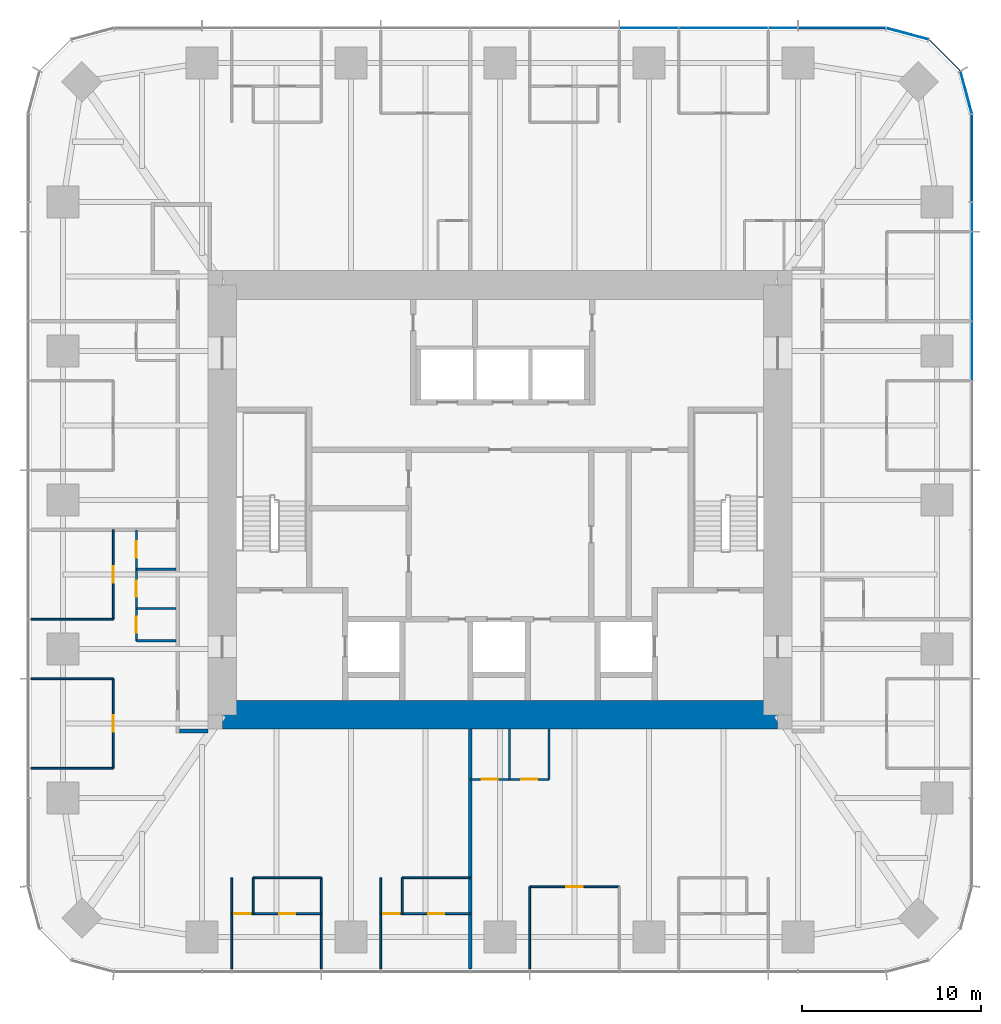
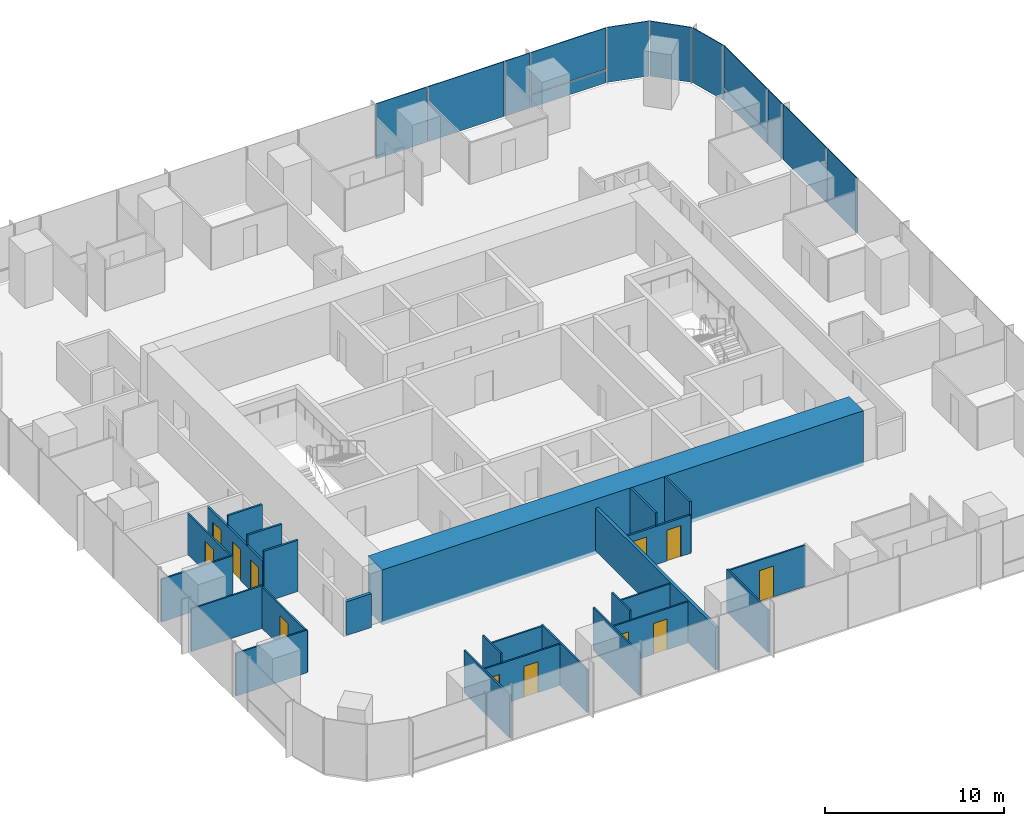
# One storey, part 8 of 12: 26 walls, 13 plates, 12 doors, 12 openings, 3 elements without a shape of their own.
"""IFC4 building model written with IfcOpenShell, lengths in metres."""

from ifc_helpers import new_model, si_unit, direction, frame, frame_2d, origin, origin_2d, place, context, subcontext, project, spatial, rectangle, extrude, material, layer, layer_set, type_object, element, fill, aggregate, save


model = new_model("IFC4")

# Units and contexts
model_context = context("Model", 3, precision=1e-05, world=origin(), true_north=direction((0.0, 1.0)))
body_context = subcontext(model_context, "Body", "Model", "MODEL_VIEW")
ifc_project = project(units=[si_unit("LENGTHUNIT", "METRE"), si_unit("AREAUNIT", "SQUARE_METRE"), si_unit("VOLUMEUNIT", "CUBIC_METRE"), si_unit("PLANEANGLEUNIT", "RADIAN"), si_unit("MASSUNIT", "GRAM", prefix="KILO")], contexts=[model_context])

# Site, building, storey
site_placement = place(None, origin())
site = spatial("IfcSite", under=ifc_project, at=site_placement, CompositionType="ELEMENT")
building_placement = place(site_placement, origin())
building = spatial("IfcBuilding", under=site, at=building_placement, Name="Khuree Lantern Residences", CompositionType="ELEMENT")
storey_placement = place(building_placement, frame((0.0, 0.0, 218.25)))
storey = spatial("IfcBuildingStorey", under=building, at=storey_placement, Name="L54", CompositionType="ELEMENT", Elevation=218.25)

# Curtain wall, plates
ifc_material_1 = material(Name="Bronze anodised aluminium", Category="aluminium")
curtain_wall_type_1 = type_object("IfcCurtainWallType", Name="CW-T2 TOWER CORNER CURTAIN WALL", PredefinedType="USERDEFINED", material=ifc_material_1)
curtain_wall_1_placement = place(storey_placement, origin())
curtain_wall_1 = element("IfcCurtainWall", 1, at=curtain_wall_1_placement, inside=storey, type_object=curtain_wall_type_1, Name="L54 NORTH-EAST CORNER CURTAIN WALL", ObjectType="Faceted corner curtain wall", PredefinedType="USERDEFINED")
ifc_material_2 = material(Name="Bronze tinted triple glazing", Category="glass")
ifc_layer_1 = layer(ifc_material_2, 0.048095703125)
ifc_layer_set_1 = layer_set([ifc_layer_1], Name="FACET PANEL P4")
plate_type_1 = type_object("IfcPlateType", Name="FACET PANEL P4", PredefinedType="CURTAIN_PANEL", material=ifc_layer_set_1)
plate_1_placement = place(storey_placement, frame((26.029052734375, 22.748046875, 0.0), z_axis=(0.0, 0.0, 1.0), x_axis=(-0.258819021888, 0.965925832509, 0.0)))
plate_1 = element("IfcPlate", 2, at=plate_1_placement, type_object=plate_type_1, Name="L54 NORTH-EAST CORNER PANEL 15.1", PredefinedType="CURTAIN_PANEL", context=body_context, shape_type="SweptSolid", body=[
    extrude(rectangle(XDim=2.40869140625, YDim=0.048095703125, at=origin_2d()), origin(), (0.0, 0.0, 1.0), 3.75),
])
plate_2_placement = place(storey_placement, frame((24.828369140625, 24.828369140625, 0.0), z_axis=(0.0, 0.0, 1.0), x_axis=(-0.707106781187, 0.707106781187, 0.0)))
plate_2 = element("IfcPlate", 3, at=plate_2_placement, type_object=plate_type_1, Name="L54 NORTH-EAST CORNER PANEL 16.1", PredefinedType="CURTAIN_PANEL", context=body_context, shape_type="SweptSolid", body=[
    extrude(rectangle(XDim=2.404541015625, YDim=0.048095703125, at=origin_2d()), origin(), (0.0, 0.0, 1.0), 3.75),
])
plate_3_placement = place(storey_placement, frame((22.748046875, 26.029052734375, 0.0), z_axis=(0.0, 0.0, 1.0), x_axis=(-0.965925832509, 0.258819021888, 0.0)))
plate_3 = element("IfcPlate", 4, at=plate_3_placement, type_object=plate_type_1, Name="L54 NORTH-EAST CORNER PANEL 17.1", PredefinedType="CURTAIN_PANEL", context=body_context, shape_type="SweptSolid", body=[
    extrude(rectangle(XDim=2.40869140625, YDim=0.048095703125, at=origin_2d()), origin(), (0.0, 0.0, 1.0), 3.75),
])
aggregate(curtain_wall_1, [plate_1, plate_2, plate_3])

# Curtain wall, plate
curtain_wall_type_2 = type_object("IfcCurtainWallType", Name="CW-T1 TOWER FACE CURTAIN WALL", PredefinedType="USERDEFINED", material=ifc_material_1)
curtain_wall_2_placement = place(storey_placement, origin())
curtain_wall_2 = element("IfcCurtainWall", 5, at=curtain_wall_2_placement, inside=storey, type_object=curtain_wall_type_2, Name="L54 EAST FACE CURTAIN WALL", ObjectType="Stick-built curtain wall", PredefinedType="USERDEFINED")
ifc_material_3 = material(Name="Bronze tinted triple glazing with a ceramic-fritted spandrel band", Category="glass")
ifc_layer_2 = layer(ifc_material_3, 0.048095703125)
ifc_layer_set_2 = layer_set([ifc_layer_2], Name="FIXED LIGHT PANEL P11")
plate_type_2 = type_object("IfcPlateType", Name="FIXED LIGHT PANEL P11", PredefinedType="CURTAIN_PANEL", material=ifc_layer_set_2)
plate_4_placement = place(storey_placement, frame((26.35009765625, 12.47998046875, 0.0), z_axis=(0.0, 0.0, 1.0), x_axis=(0.0, 1.0, 0.0)))
plate_4 = element("IfcPlate", 6, at=plate_4_placement, type_object=plate_type_2, Name="L54 EAST FACE PANEL 12.1", PredefinedType="CURTAIN_PANEL", context=body_context, shape_type="SweptSolid", body=[
    extrude(rectangle(XDim=4.927001953125, YDim=0.048095703125, at=origin_2d()), origin(), (0.0, 0.0, 1.0), 3.75),
])

curtain_wall_3_placement = place(storey_placement, origin())
curtain_wall_3 = element("IfcCurtainWall", 7, at=curtain_wall_3_placement, inside=storey, type_object=curtain_wall_type_2, Name="L54 NORTH FACE CURTAIN WALL", ObjectType="Stick-built curtain wall", PredefinedType="USERDEFINED")
plate_5_placement = place(storey_placement, frame((12.47998046875, 26.35009765625, 0.0), z_axis=(0.0, 0.0, 1.0), x_axis=(-1.0, 0.0, 0.0)))
plate_5 = element("IfcPlate", 8, at=plate_5_placement, type_object=plate_type_2, Name="L54 NORTH FACE PANEL 20.1", PredefinedType="CURTAIN_PANEL", context=body_context, shape_type="SweptSolid", body=[
    extrude(rectangle(XDim=4.927001953125, YDim=0.048095703125, at=origin_2d()), origin(), (0.0, 0.0, 1.0), 3.75),
])

# Plate
ifc_material_4 = material(Name="Bronze tinted triple glazing, two aluminium-framed sashes in one frame", Category="aluminium")
ifc_layer_3 = layer(ifc_material_4, 0.048095703125)
ifc_layer_set_3 = layer_set([ifc_layer_3], Name="SASH PAIR PANEL P12")
plate_type_3 = type_object("IfcPlateType", Name="SASH PAIR PANEL P12", PredefinedType="CURTAIN_PANEL", material=ifc_layer_set_3)
plate_6_placement = place(storey_placement, frame((26.35009765625, 8.320068359375, 0.0), z_axis=(0.0, 0.0, 1.0), x_axis=(0.0, 1.0, 0.0)))
plate_6 = element("IfcPlate", 9, at=plate_6_placement, type_object=plate_type_3, Name="L54 EAST FACE PANEL 11.1", PredefinedType="CURTAIN_PANEL", context=body_context, shape_type="SweptSolid", body=[
    extrude(rectangle(XDim=3.262939453125, YDim=0.048095703125, at=origin_2d()), origin(), (0.0, 0.0, 1.0), 3.75),
])

plate_7_placement = place(storey_placement, frame((8.320068359375, 26.35009765625, 0.0), z_axis=(0.0, 0.0, 1.0), x_axis=(-1.0, 0.0, 0.0)))
plate_7 = element("IfcPlate", 10, at=plate_7_placement, type_object=plate_type_3, Name="L54 NORTH FACE PANEL 21.1", PredefinedType="CURTAIN_PANEL", context=body_context, shape_type="SweptSolid", body=[
    extrude(rectangle(XDim=3.262939453125, YDim=0.048095703125, at=origin_2d()), origin(), (0.0, 0.0, 1.0), 3.75),
])

ifc_material_5 = material(Name="Bronze tinted triple glazing, aluminium-framed sash", Category="aluminium")
ifc_layer_4 = layer(ifc_material_5, 0.048095703125)
ifc_layer_set_4 = layer_set([ifc_layer_4], Name="SASH PANEL P3")
plate_type_4 = type_object("IfcPlateType", Name="SASH PANEL P3", PredefinedType="CURTAIN_PANEL", material=ifc_layer_set_4)
plate_8_placement = place(storey_placement, frame((26.35009765625, 15.80810546875, 0.0), z_axis=(0.0, 0.0, 1.0), x_axis=(0.0, 1.0, 0.0)))
plate_8 = element("IfcPlate", 11, at=plate_8_placement, type_object=plate_type_4, Name="L54 EAST FACE PANEL 13.1", PredefinedType="CURTAIN_PANEL", context=body_context, shape_type="SweptSolid", body=[
    extrude(rectangle(XDim=1.59912109375, YDim=0.048095703125, at=origin_2d()), origin(), (0.0, 0.0, 1.0), 3.75),
])

plate_9_placement = place(storey_placement, frame((15.80810546875, 26.35009765625, 0.0), z_axis=(0.0, 0.0, 1.0), x_axis=(-1.0, 0.0, 0.0)))
plate_9 = element("IfcPlate", 12, at=plate_9_placement, type_object=plate_type_4, Name="L54 NORTH FACE PANEL 19.1", PredefinedType="CURTAIN_PANEL", context=body_context, shape_type="SweptSolid", body=[
    extrude(rectangle(XDim=1.59912109375, YDim=0.048095703125, at=origin_2d()), origin(), (0.0, 0.0, 1.0), 3.75),
])

ifc_material_6 = material(Name="Bronze anodised aluminium insulated spandrel", Category="aluminium")
ifc_layer_5 = layer(ifc_material_6, 0.06005859375)
ifc_layer_set_5 = layer_set([ifc_layer_5], Name="SPANDREL PANEL P2")
plate_type_5 = type_object("IfcPlateType", Name="SPANDREL PANEL P2", PredefinedType="CURTAIN_PANEL", material=ifc_layer_set_5)
plate_10_placement = place(storey_placement, frame((26.35009765625, 19.0927734375, 0.0), z_axis=(0.0, 0.0, 1.0), x_axis=(0.0, 1.0, 0.0)))
plate_10 = element("IfcPlate", 13, at=plate_10_placement, type_object=plate_type_5, Name="L54 EAST FACE PANEL 14.1", PredefinedType="CURTAIN_PANEL", context=body_context, shape_type="SweptSolid", body=[
    extrude(rectangle(XDim=4.8408203125, YDim=0.06005859375, at=origin_2d()), origin(), (0.0, 0.0, 1.0), 0.867431640625),
])

plate_11_placement = place(storey_placement, frame((19.0927734375, 26.35009765625, 0.0), z_axis=(0.0, 0.0, 1.0), x_axis=(-1.0, 0.0, 0.0)))
plate_11 = element("IfcPlate", 14, at=plate_11_placement, type_object=plate_type_5, Name="L54 NORTH FACE PANEL 18.1", PredefinedType="CURTAIN_PANEL", context=body_context, shape_type="SweptSolid", body=[
    extrude(rectangle(XDim=4.8408203125, YDim=0.06005859375, at=origin_2d()), origin(), (0.0, 0.0, 1.0), 0.867431640625),
])

ifc_layer_6 = layer(ifc_material_2, 0.048095703125)
ifc_layer_set_6 = layer_set([ifc_layer_6], Name="VISION PANEL P1")
plate_type_6 = type_object("IfcPlateType", Name="VISION PANEL P1", PredefinedType="CURTAIN_PANEL", material=ifc_layer_set_6)
plate_12_placement = place(storey_placement, frame((26.35009765625, 19.09326171875, 0.9326171875), z_axis=(0.0, 0.0, 1.0), x_axis=(0.0, 1.0, 0.0)))
plate_12 = element("IfcPlate", 15, at=plate_12_placement, type_object=plate_type_6, Name="L54 EAST FACE PANEL 14.2", PredefinedType="CURTAIN_PANEL", context=body_context, shape_type="SweptSolid", body=[
    extrude(rectangle(XDim=4.841552734375, YDim=0.048095703125, at=origin_2d()), origin(), (0.0, 0.0, 1.0), 2.8173828125),
])

aggregate(curtain_wall_2, [plate_6, plate_4, plate_8, plate_10, plate_12])

plate_13_placement = place(storey_placement, frame((19.09326171875, 26.35009765625, 0.9326171875), z_axis=(0.0, 0.0, 1.0), x_axis=(-1.0, 0.0, 0.0)))
plate_13 = element("IfcPlate", 16, at=plate_13_placement, type_object=plate_type_6, Name="L54 NORTH FACE PANEL 18.2", PredefinedType="CURTAIN_PANEL", context=body_context, shape_type="SweptSolid", body=[
    extrude(rectangle(XDim=4.841552734375, YDim=0.048095703125, at=origin_2d()), origin(), (0.0, 0.0, 1.0), 2.8173828125),
])

aggregate(curtain_wall_3, [plate_11, plate_13, plate_9, plate_5, plate_7])

# Wall, openings, doors
ifc_material_7 = material(Name="Moisture-resistant gypsum board on steel studs", Category="steel")
ifc_layer_7 = layer(ifc_material_7, 0.125)
ifc_layer_set_7 = layer_set([ifc_layer_7], Name="BATHROOM WALL BTW125")
wall_type_1 = type_object("IfcWallType", Name="BATHROOM WALL BTW125", PredefinedType="PARTITIONING", material=ifc_layer_set_7)
wall_1_placement = place(storey_placement, frame((-20.300048828125, -1.6640625, 0.0), z_axis=(0.0, 0.0, 1.0), x_axis=(0.0, -1.0, 0.0)))
wall_1 = element("IfcWall", 17, at=wall_1_placement, inside=storey, type_object=wall_type_1, Name="L54 BATHROOM WALL 05", PredefinedType="PARTITIONING", context=body_context, shape_type="SweptSolid", body=[
    extrude(rectangle(XDim=6.199951171875, YDim=0.125, at=frame_2d((3.10009765625, 0.0))), origin(), (0.0, 0.0, 1.0), 2.81005859375),
])
opening_1_placement = place(wall_1_placement, frame((0.64990234375, 0.0, 0.0)))
opening_1 = element("IfcOpeningElement", 18, at=opening_1_placement, cuts=wall_1, Name="Opening 54-046", PredefinedType="OPENING", context=body_context, shape_type="SweptSolid", body=[
    extrude(rectangle(XDim=0.89990234375, YDim=2.10009765625, at=frame_2d((0.449951171875, 1.050048828125))), frame((0.0, 0.072509765625, 0.0), z_axis=(0.0, -1.0, 0.0), x_axis=(1.0, 0.0, 0.0)), (0.0, 0.0, 1.0), 0.14501953125),
])
opening_2_placement = place(wall_1_placement, frame((2.85009765625, 0.0, 0.0)))
opening_2 = element("IfcOpeningElement", 19, at=opening_2_placement, cuts=wall_1, Name="Opening 54-047", PredefinedType="OPENING", context=body_context, shape_type="SweptSolid", body=[
    extrude(rectangle(XDim=0.89990234375, YDim=2.10009765625, at=frame_2d((0.449951171875, 1.050048828125))), frame((0.0, 0.072509765625, 0.0), z_axis=(0.0, -1.0, 0.0), x_axis=(1.0, 0.0, 0.0)), (0.0, 0.0, 1.0), 0.14501953125),
])
opening_3_placement = place(wall_1_placement, frame((4.85009765625, 0.0, 0.0)))
opening_3 = element("IfcOpeningElement", 20, at=opening_3_placement, cuts=wall_1, Name="Opening 54-048", PredefinedType="OPENING", context=body_context, shape_type="SweptSolid", body=[
    extrude(rectangle(XDim=0.89990234375, YDim=2.10009765625, at=frame_2d((0.449951171875, 1.050048828125))), frame((0.0, 0.072509765625, 0.0), z_axis=(0.0, -1.0, 0.0), x_axis=(1.0, 0.0, 0.0)), (0.0, 0.0, 1.0), 0.14501953125),
])
ifc_material_8 = material(Name="Timber door leaf in hardwood frame", Category="wood")
door_type_1 = type_object("IfcDoorType", Name="BATHROOM DOOR 900X2100", OperationType="SINGLE_SWING_LEFT", PredefinedType="DOOR", material=ifc_material_8)
door_1_placement = place(opening_1_placement, origin())
door_1 = element("IfcDoor", 21, at=door_1_placement, inside=storey, type_object=door_type_1, Name="Bathroom door 54-046", OperationType="SINGLE_SWING_LEFT", OverallHeight=2.10009765625, OverallWidth=0.89990234375, PredefinedType="DOOR", context=body_context, shape_type="SweptSolid", body=[
    extrude(rectangle(XDim=0.89990234375, YDim=2.10009765625, at=frame_2d((0.449951171875, 1.050048828125))), frame((0.0, 0.02490234375, 0.0), z_axis=(0.0, -1.0, 0.0), x_axis=(1.0, 0.0, 0.0)), (0.0, 0.0, 1.0), 0.050048828125),
])
fill(opening_1, door_1)
door_2_placement = place(opening_2_placement, origin())
door_2 = element("IfcDoor", 22, at=door_2_placement, inside=storey, type_object=door_type_1, Name="Bathroom door 54-047", OperationType="SINGLE_SWING_LEFT", OverallHeight=2.10009765625, OverallWidth=0.89990234375, PredefinedType="DOOR", context=body_context, shape_type="SweptSolid", body=[
    extrude(rectangle(XDim=0.89990234375, YDim=2.10009765625, at=frame_2d((0.449951171875, 1.050048828125))), frame((0.0, 0.02490234375, 0.0), z_axis=(0.0, -1.0, 0.0), x_axis=(1.0, 0.0, 0.0)), (0.0, 0.0, 1.0), 0.050048828125),
])
fill(opening_2, door_2)
door_type_2 = type_object("IfcDoorType", Name="DOOR 900X2100", OperationType="SINGLE_SWING_LEFT", PredefinedType="DOOR", material=ifc_material_8)
door_3_placement = place(opening_3_placement, origin())
door_3 = element("IfcDoor", 23, at=door_3_placement, inside=storey, type_object=door_type_2, Name="Store door 54-048", OperationType="SINGLE_SWING_LEFT", OverallHeight=2.10009765625, OverallWidth=0.89990234375, PredefinedType="DOOR", context=body_context, shape_type="SweptSolid", body=[
    extrude(rectangle(XDim=0.89990234375, YDim=2.10009765625, at=frame_2d((0.449951171875, 1.050048828125))), frame((0.0, 0.02490234375, 0.0), z_axis=(0.0, -1.0, 0.0), x_axis=(1.0, 0.0, 0.0)), (0.0, 0.0, 1.0), 0.050048828125),
])
fill(opening_3, door_3)

# Walls
for number, where, z_axis, x_axis, name in (
    (24, (-18.10009765625, -3.864013671875, 0.0), (0.0, 0.0, 1.0), (-1.0, 0.0, 0.0), "L54 BATHROOM WALL 05"),
    (25, (-18.10009765625, -6.06396484375, 0.0), (0.0, 0.0, 1.0), (-1.0, 0.0, 0.0), "L54 BATHROOM WALL 05"),
    (26, (-18.10009765625, -7.864013671875, 0.0), (0.0, 0.0, 1.0), (-1.0, 0.0, 0.0), "L54 BATHROOM WALL 05"),
):
    element("IfcWall", number, at=place(storey_placement, frame(where, z_axis=z_axis, x_axis=x_axis)), inside=storey, type_object=wall_type_1, Name=name, PredefinedType="PARTITIONING", context=body_context, shape_type="SweptSolid", body=[
        extrude(rectangle(XDim=2.199951171875, YDim=0.125, at=frame_2d((1.10009765625, 0.0))), origin(), (0.0, 0.0, 1.0), 3.5),
    ])

# Wall, openings, doors
wall_2_placement = place(storey_placement, frame((-1.6640625, -15.60009765625, 0.0), z_axis=(0.0, 0.0, 1.0), x_axis=(1.0, 0.0, 0.0)))
wall_2 = element("IfcWall", 27, at=wall_2_placement, inside=storey, type_object=wall_type_1, Name="L54 BATHROOM WALL 06", PredefinedType="PARTITIONING", context=body_context, shape_type="SweptSolid", body=[
    extrude(rectangle(XDim=4.400146484375, YDim=0.125, at=frame_2d((2.2001953125, 0.0))), origin(), (0.0, 0.0, 1.0), 2.60009765625),
])
opening_4_placement = place(wall_2_placement, frame((0.64990234375, 0.0, 0.0)))
opening_4 = element("IfcOpeningElement", 28, at=opening_4_placement, cuts=wall_2, Name="Opening 54-054", PredefinedType="OPENING", context=body_context, shape_type="SweptSolid", body=[
    extrude(rectangle(XDim=0.89990234375, YDim=2.10009765625, at=frame_2d((0.449951171875, 1.050048828125))), frame((0.0, 0.072509765625, 0.0), z_axis=(0.0, -1.0, 0.0), x_axis=(1.0, 0.0, 0.0)), (0.0, 0.0, 1.0), 0.14501953125),
])
opening_5_placement = place(wall_2_placement, frame((2.85009765625, 0.0, 0.0)))
opening_5 = element("IfcOpeningElement", 29, at=opening_5_placement, cuts=wall_2, Name="Opening 54-055", PredefinedType="OPENING", context=body_context, shape_type="SweptSolid", body=[
    extrude(rectangle(XDim=0.89990234375, YDim=2.10009765625, at=frame_2d((0.449951171875, 1.050048828125))), frame((0.0, 0.072509765625, 0.0), z_axis=(0.0, -1.0, 0.0), x_axis=(1.0, 0.0, 0.0)), (0.0, 0.0, 1.0), 0.14501953125),
])
door_4_placement = place(opening_4_placement, origin())
door_4 = element("IfcDoor", 30, at=door_4_placement, inside=storey, type_object=door_type_1, Name="Bathroom door 54-054", OperationType="SINGLE_SWING_LEFT", OverallHeight=2.10009765625, OverallWidth=0.89990234375, PredefinedType="DOOR", context=body_context, shape_type="SweptSolid", body=[
    extrude(rectangle(XDim=0.89990234375, YDim=2.10009765625, at=frame_2d((0.449951171875, 1.050048828125))), frame((0.0, 0.02490234375, 0.0), z_axis=(0.0, -1.0, 0.0), x_axis=(1.0, 0.0, 0.0)), (0.0, 0.0, 1.0), 0.050048828125),
])
fill(opening_4, door_4)
door_5_placement = place(opening_5_placement, origin())
door_5 = element("IfcDoor", 31, at=door_5_placement, inside=storey, type_object=door_type_1, Name="Bathroom door 54-055", OperationType="SINGLE_SWING_LEFT", OverallHeight=2.10009765625, OverallWidth=0.89990234375, PredefinedType="DOOR", context=body_context, shape_type="SweptSolid", body=[
    extrude(rectangle(XDim=0.89990234375, YDim=2.10009765625, at=frame_2d((0.449951171875, 1.050048828125))), frame((0.0, 0.02490234375, 0.0), z_axis=(0.0, -1.0, 0.0), x_axis=(1.0, 0.0, 0.0)), (0.0, 0.0, 1.0), 0.050048828125),
])
fill(opening_5, door_5)

# Walls
for number, where, z_axis, x_axis, name in (
    (32, (0.535888671875, -12.800048828125, 0.0), (0.0, 0.0, 1.0), (0.0, -1.0, 0.0), "L54 BATHROOM WALL 06"),
    (33, (2.736083984375, -12.800048828125, 0.0), (0.0, 0.0, 1.0), (0.0, -1.0, 0.0), "L54 BATHROOM WALL 06"),
):
    element("IfcWall", number, at=place(storey_placement, frame(where, z_axis=z_axis, x_axis=x_axis)), inside=storey, type_object=wall_type_1, Name=name, PredefinedType="PARTITIONING", context=body_context, shape_type="SweptSolid", body=[
        extrude(rectangle(XDim=2.800048828125, YDim=0.125, at=frame_2d((1.39990234375, 0.0))), origin(), (0.0, 0.0, 1.0), 3.5),
    ])
ifc_material_9 = material(Name="Gypsum board on steel studs", Category="steel")
ifc_layer_8 = layer(ifc_material_9, 0.199951171875)
ifc_layer_set_8 = layer_set([ifc_layer_8], Name="CORRIDOR WALL CRW200 EI 60")
wall_type_2 = type_object("IfcWallType", Name="CORRIDOR WALL CRW200 EI 60", PredefinedType="PARTITIONING", material=ifc_layer_set_8)
wall_3_placement = place(storey_placement, frame((-16.300048828125, -12.89990234375, 0.0), z_axis=(0.0, 0.0, 1.0), x_axis=(-1.0, 0.0, 0.0)))
element("IfcWall", 34, at=wall_3_placement, inside=storey, type_object=wall_type_2, Name="L54 WEST CORRIDOR SOUTH END WALL", PredefinedType="PARTITIONING", context=body_context, shape_type="SweptSolid", body=[
    extrude(rectangle(XDim=1.599853515625, YDim=0.199951171875, at=frame_2d((0.7998046875, 0.0))), origin(), (0.0, 0.0, 1.0), 2.300048828125),
])
ifc_material_10 = material(Name="Concrete C50/60", Category="concrete")
ifc_layer_9 = layer(ifc_material_10, 1.60009765625)
ifc_layer_set_9 = layer_set([ifc_layer_9], Name="CW1600-C50 CORE WALL C50 1600")
wall_type_3 = type_object("IfcWallType", Name="CW1600-C50 CORE WALL C50 1600", PredefinedType="SHEAR", material=ifc_layer_set_9)
wall_4_placement = place(storey_placement, frame((-15.5, -12.0, -0.25), z_axis=(0.0, 0.0, 1.0), x_axis=(1.0, 0.0, 0.0)))
element("IfcWall", 35, at=wall_4_placement, inside=storey, type_object=wall_type_3, Name="Core wall S", PredefinedType="SHEAR", context=body_context, shape_type="SweptSolid", body=[
    extrude(rectangle(XDim=31.0, YDim=1.60009765625, at=frame_2d((15.5, 0.0))), origin(), (0.0, 0.0, 1.0), 3.75),
])
ifc_layer_10 = layer(ifc_material_9, 0.199951171875)
ifc_layer_set_10 = layer_set([ifc_layer_10], Name="DEMISING WALL DMW200 EI 90")
wall_type_4 = type_object("IfcWallType", Name="DEMISING WALL DMW200 EI 90", PredefinedType="PARTITIONING", material=ifc_layer_set_10)
wall_5_placement = place(storey_placement, frame((-1.6640625, -12.800048828125, 0.0), z_axis=(0.0, 0.0, 1.0), x_axis=(0.0, -1.0, 0.0)))
element("IfcWall", 36, at=wall_5_placement, inside=storey, type_object=wall_type_4, Name="L54 DEMISING WALL 06", PredefinedType="PARTITIONING", context=body_context, shape_type="SweptSolid", body=[
    extrude(rectangle(XDim=13.39990234375, YDim=0.199951171875, at=frame_2d((6.699951171875, 0.0))), origin(), (0.0, 0.0, 1.0), 2.909912109375),
])
ifc_layer_11 = layer(ifc_material_9, 0.10009765625)
ifc_layer_set_11 = layer_set([ifc_layer_11], Name="PARTITION PT100")
wall_type_5 = type_object("IfcWallType", Name="PARTITION PT100", PredefinedType="PARTITIONING", material=ifc_layer_set_11)
for number, where, z_axis, x_axis, name in (
    (37, (-21.60009765625, -6.656005859375, 0.0), (0.0, 0.0, 1.0), (-1.0, 0.0, 0.0), "L54 PARTITION 05"),
    (38, (-21.60009765625, -9.98388671875, 0.0), (0.0, 0.0, 1.0), (-1.0, 0.0, 0.0), "L54 PARTITION 05"),
    (39, (-21.60009765625, -14.97607421875, 0.0), (0.0, 0.0, 1.0), (-1.0, 0.0, 0.0), "L54 PARTITION 05"),
):
    element("IfcWall", number, at=place(storey_placement, frame(where, z_axis=z_axis, x_axis=x_axis)), inside=storey, type_object=wall_type_5, Name=name, PredefinedType="PARTITIONING", context=body_context, shape_type="SweptSolid", body=[
        extrude(rectangle(XDim=4.599853515625, YDim=0.10009765625, at=frame_2d((2.2998046875, 0.0))), origin(), (0.0, 0.0, 1.0), 2.909912109375),
    ])
for number, where, z_axis, x_axis, name in (
    (40, (-14.97607421875, -21.094970703125, 0.0), (0.0, 0.0, 1.0), (0.0, -1.0, 0.0), "L54 PARTITION 05"),
    (41, (-9.98388671875, -21.094970703125, 0.0), (0.0, 0.0, 1.0), (0.0, -1.0, 0.0), "L54 PARTITION 05"),
    (42, (-6.656005859375, -21.094970703125, 0.0), (0.0, 0.0, 1.0), (0.0, -1.0, 0.0), "L54 PARTITION 05"),
):
    element("IfcWall", number, at=place(storey_placement, frame(where, z_axis=z_axis, x_axis=x_axis)), inside=storey, type_object=wall_type_5, Name=name, PredefinedType="PARTITIONING", context=body_context, shape_type="SweptSolid", body=[
        extrude(rectangle(XDim=5.10498046875, YDim=0.10009765625, at=frame_2d((2.552490234375, 0.0))), origin(), (0.0, 0.0, 1.0), 2.909912109375),
    ])
wall_6_placement = place(storey_placement, frame((1.6640625, -21.60009765625, 0.0), z_axis=(0.0, 0.0, 1.0), x_axis=(0.0, -1.0, 0.0)))
element("IfcWall", 43, at=wall_6_placement, inside=storey, type_object=wall_type_5, Name="L54 PARTITION 06", PredefinedType="PARTITIONING", context=body_context, shape_type="SweptSolid", body=[
    extrude(rectangle(XDim=4.599853515625, YDim=0.10009765625, at=frame_2d((2.2998046875, 0.0))), origin(), (0.0, 0.0, 1.0), 2.909912109375),
])

# Wall, opening, door
wall_7_placement = place(storey_placement, frame((-21.60009765625, -1.6640625, 0.0), z_axis=(0.0, 0.0, 1.0), x_axis=(0.0, -1.0, 0.0)))
wall_7 = element("IfcWall", 44, at=wall_7_placement, inside=storey, type_object=wall_type_5, Name="L54 PARTITION 05", PredefinedType="PARTITIONING", context=body_context, shape_type="SweptSolid", body=[
    extrude(rectangle(XDim=4.991943359375, YDim=0.10009765625, at=frame_2d((2.49609375, 0.0))), origin(), (0.0, 0.0, 1.0), 2.81005859375),
])
opening_6_placement = place(wall_7_placement, frame((2.0458984375, 0.0, 0.0)))
opening_6 = element("IfcOpeningElement", 45, at=opening_6_placement, cuts=wall_7, Name="Opening 54-040", PredefinedType="OPENING", context=body_context, shape_type="SweptSolid", body=[
    extrude(rectangle(XDim=0.89990234375, YDim=2.10009765625, at=frame_2d((0.449951171875, 1.050048828125))), frame((0.0, 0.06005859375, 0.0), z_axis=(0.0, -1.0, 0.0), x_axis=(1.0, 0.0, 0.0)), (0.0, 0.0, 1.0), 0.1201171875),
])
door_type_3 = type_object("IfcDoorType", Name="BEDROOM DOOR 900X2100", OperationType="SINGLE_SWING_LEFT", PredefinedType="DOOR", material=ifc_material_8)
door_6_placement = place(opening_6_placement, origin())
door_6 = element("IfcDoor", 46, at=door_6_placement, inside=storey, type_object=door_type_3, Name="Bedroom door 54-040", OperationType="SINGLE_SWING_LEFT", OverallHeight=2.10009765625, OverallWidth=0.89990234375, PredefinedType="DOOR", context=body_context, shape_type="SweptSolid", body=[
    extrude(rectangle(XDim=0.89990234375, YDim=2.10009765625, at=frame_2d((0.449951171875, 1.050048828125))), frame((0.0, 0.02490234375, 0.0), z_axis=(0.0, -1.0, 0.0), x_axis=(1.0, 0.0, 0.0)), (0.0, 0.0, 1.0), 0.050048828125),
])
fill(opening_6, door_6)

wall_8_placement = place(storey_placement, frame((-21.60009765625, -9.98388671875, 0.0), z_axis=(0.0, 0.0, 1.0), x_axis=(0.0, -1.0, 0.0)))
wall_8 = element("IfcWall", 47, at=wall_8_placement, inside=storey, type_object=wall_type_5, Name="L54 PARTITION 05", PredefinedType="PARTITIONING", context=body_context, shape_type="SweptSolid", body=[
    extrude(rectangle(XDim=4.9921875, YDim=0.10009765625, at=frame_2d((2.49609375, 0.0))), origin(), (0.0, 0.0, 1.0), 2.81005859375),
])
opening_7_placement = place(wall_8_placement, frame((2.0458984375, 0.0, 0.0)))
opening_7 = element("IfcOpeningElement", 48, at=opening_7_placement, cuts=wall_8, Name="Opening 54-041", PredefinedType="OPENING", context=body_context, shape_type="SweptSolid", body=[
    extrude(rectangle(XDim=0.89990234375, YDim=2.10009765625, at=frame_2d((0.449951171875, 1.050048828125))), frame((0.0, 0.06005859375, 0.0), z_axis=(0.0, -1.0, 0.0), x_axis=(1.0, 0.0, 0.0)), (0.0, 0.0, 1.0), 0.1201171875),
])
door_7_placement = place(opening_7_placement, origin())
door_7 = element("IfcDoor", 49, at=door_7_placement, inside=storey, type_object=door_type_3, Name="Bedroom door 54-041", OperationType="SINGLE_SWING_LEFT", OverallHeight=2.10009765625, OverallWidth=0.89990234375, PredefinedType="DOOR", context=body_context, shape_type="SweptSolid", body=[
    extrude(rectangle(XDim=0.89990234375, YDim=2.10009765625, at=frame_2d((0.449951171875, 1.050048828125))), frame((0.0, 0.02490234375, 0.0), z_axis=(0.0, -1.0, 0.0), x_axis=(1.0, 0.0, 0.0)), (0.0, 0.0, 1.0), 0.050048828125),
])
fill(opening_7, door_7)

# Wall, openings, doors
wall_9_placement = place(storey_placement, frame((-14.97607421875, -23.094970703125, 0.0), z_axis=(0.0, 0.0, 1.0), x_axis=(1.0, 0.0, 0.0)))
wall_9 = element("IfcWall", 50, at=wall_9_placement, inside=storey, type_object=wall_type_5, Name="L54 PARTITION 05", PredefinedType="PARTITIONING", context=body_context, shape_type="SweptSolid", body=[
    extrude(rectangle(XDim=4.9921875, YDim=0.10009765625, at=frame_2d((2.49609375, 0.0))), origin(), (0.0, 0.0, 1.0), 2.81005859375),
])
opening_8_placement = place(wall_9_placement, frame((0.14990234375, 0.0, 0.0)))
opening_8 = element("IfcOpeningElement", 51, at=opening_8_placement, cuts=wall_9, Name="Opening 54-042", PredefinedType="OPENING", context=body_context, shape_type="SweptSolid", body=[
    extrude(rectangle(XDim=0.89990234375, YDim=2.10009765625, at=frame_2d((0.449951171875, 1.050048828125))), frame((0.0, 0.06005859375, 0.0), z_axis=(0.0, -1.0, 0.0), x_axis=(1.0, 0.0, 0.0)), (0.0, 0.0, 1.0), 0.1201171875),
])
opening_9_placement = place(wall_9_placement, frame((2.64599609375, 0.0, 0.0)))
opening_9 = element("IfcOpeningElement", 52, at=opening_9_placement, cuts=wall_9, Name="Opening 54-043", PredefinedType="OPENING", context=body_context, shape_type="SweptSolid", body=[
    extrude(rectangle(XDim=0.89990234375, YDim=2.10009765625, at=frame_2d((0.449951171875, 1.050048828125))), frame((0.0, 0.06005859375, 0.0), z_axis=(0.0, -1.0, 0.0), x_axis=(1.0, 0.0, 0.0)), (0.0, 0.0, 1.0), 0.1201171875),
])
door_8_placement = place(opening_8_placement, origin())
door_8 = element("IfcDoor", 53, at=door_8_placement, inside=storey, type_object=door_type_3, Name="Bedroom door 54-042", OperationType="SINGLE_SWING_LEFT", OverallHeight=2.10009765625, OverallWidth=0.89990234375, PredefinedType="DOOR", context=body_context, shape_type="SweptSolid", body=[
    extrude(rectangle(XDim=0.89990234375, YDim=2.10009765625, at=frame_2d((0.449951171875, 1.050048828125))), frame((0.0, 0.02490234375, 0.0), z_axis=(0.0, -1.0, 0.0), x_axis=(1.0, 0.0, 0.0)), (0.0, 0.0, 1.0), 0.050048828125),
])
fill(opening_8, door_8)
door_9_placement = place(opening_9_placement, origin())
door_9 = element("IfcDoor", 54, at=door_9_placement, inside=storey, type_object=door_type_2, Name="Wardrobe door 54-043", OperationType="SINGLE_SWING_LEFT", OverallHeight=2.10009765625, OverallWidth=0.89990234375, PredefinedType="DOOR", context=body_context, shape_type="SweptSolid", body=[
    extrude(rectangle(XDim=0.89990234375, YDim=2.10009765625, at=frame_2d((0.449951171875, 1.050048828125))), frame((0.0, 0.02490234375, 0.0), z_axis=(0.0, -1.0, 0.0), x_axis=(1.0, 0.0, 0.0)), (0.0, 0.0, 1.0), 0.050048828125),
])
fill(opening_9, door_9)

# Walls
wall_10_placement = place(storey_placement, frame((-13.77587890625, -21.094970703125, 0.0), z_axis=(0.0, 0.0, 1.0), x_axis=(0.0, -1.0, 0.0)))
element("IfcWall", 55, at=wall_10_placement, inside=storey, type_object=wall_type_5, Name="L54 PARTITION 05", PredefinedType="PARTITIONING", context=body_context, shape_type="SweptSolid", body=[
    extrude(rectangle(XDim=2.0, YDim=0.10009765625, at=frame_2d((1.0, 0.0))), origin(), (0.0, 0.0, 1.0), 3.5),
])
wall_11_placement = place(storey_placement, frame((-13.77587890625, -21.094970703125, 0.0), z_axis=(0.0, 0.0, 1.0), x_axis=(1.0, 0.0, 0.0)))
element("IfcWall", 56, at=wall_11_placement, inside=storey, type_object=wall_type_5, Name="L54 PARTITION 05", PredefinedType="PARTITIONING", context=body_context, shape_type="SweptSolid", body=[
    extrude(rectangle(XDim=3.7919921875, YDim=0.10009765625, at=frame_2d((1.89599609375, 0.0))), origin(), (0.0, 0.0, 1.0), 2.81005859375),
])

# Wall, openings, doors
wall_12_placement = place(storey_placement, frame((-6.656005859375, -23.094970703125, 0.0), z_axis=(0.0, 0.0, 1.0), x_axis=(1.0, 0.0, 0.0)))
wall_12 = element("IfcWall", 57, at=wall_12_placement, inside=storey, type_object=wall_type_5, Name="L54 PARTITION 05", PredefinedType="PARTITIONING", context=body_context, shape_type="SweptSolid", body=[
    extrude(rectangle(XDim=4.991943359375, YDim=0.10009765625, at=frame_2d((2.49609375, 0.0))), origin(), (0.0, 0.0, 1.0), 2.81005859375),
])
opening_10_placement = place(wall_12_placement, frame((0.14990234375, 0.0, 0.0)))
opening_10 = element("IfcOpeningElement", 58, at=opening_10_placement, cuts=wall_12, Name="Opening 54-044", PredefinedType="OPENING", context=body_context, shape_type="SweptSolid", body=[
    extrude(rectangle(XDim=0.89990234375, YDim=2.10009765625, at=frame_2d((0.449951171875, 1.050048828125))), frame((0.0, 0.06005859375, 0.0), z_axis=(0.0, -1.0, 0.0), x_axis=(1.0, 0.0, 0.0)), (0.0, 0.0, 1.0), 0.1201171875),
])
opening_11_placement = place(wall_12_placement, frame((2.64599609375, 0.0, 0.0)))
opening_11 = element("IfcOpeningElement", 59, at=opening_11_placement, cuts=wall_12, Name="Opening 54-045", PredefinedType="OPENING", context=body_context, shape_type="SweptSolid", body=[
    extrude(rectangle(XDim=0.89990234375, YDim=2.10009765625, at=frame_2d((0.449951171875, 1.050048828125))), frame((0.0, 0.06005859375, 0.0), z_axis=(0.0, -1.0, 0.0), x_axis=(1.0, 0.0, 0.0)), (0.0, 0.0, 1.0), 0.1201171875),
])
door_10_placement = place(opening_10_placement, origin())
door_10 = element("IfcDoor", 60, at=door_10_placement, inside=storey, type_object=door_type_3, Name="Bedroom door 54-044", OperationType="SINGLE_SWING_LEFT", OverallHeight=2.10009765625, OverallWidth=0.89990234375, PredefinedType="DOOR", context=body_context, shape_type="SweptSolid", body=[
    extrude(rectangle(XDim=0.89990234375, YDim=2.10009765625, at=frame_2d((0.449951171875, 1.050048828125))), frame((0.0, 0.02490234375, 0.0), z_axis=(0.0, -1.0, 0.0), x_axis=(1.0, 0.0, 0.0)), (0.0, 0.0, 1.0), 0.050048828125),
])
fill(opening_10, door_10)
door_type_4 = type_object("IfcDoorType", Name="DOOR 900X2100 RIGHT HAND", OperationType="SINGLE_SWING_RIGHT", PredefinedType="DOOR", material=ifc_material_8)
door_11_placement = place(opening_11_placement, origin())
door_11 = element("IfcDoor", 61, at=door_11_placement, inside=storey, type_object=door_type_4, Name="Wardrobe door 54-045", OperationType="SINGLE_SWING_RIGHT", OverallHeight=2.10009765625, OverallWidth=0.89990234375, PredefinedType="DOOR", context=body_context, shape_type="SweptSolid", body=[
    extrude(rectangle(XDim=0.89990234375, YDim=2.10009765625, at=frame_2d((0.449951171875, 1.050048828125))), frame((0.0, 0.02490234375, 0.0), z_axis=(0.0, -1.0, 0.0), x_axis=(1.0, 0.0, 0.0)), (0.0, 0.0, 1.0), 0.050048828125),
])
fill(opening_11, door_11)

# Walls
wall_13_placement = place(storey_placement, frame((-5.4560546875, -21.094970703125, 0.0), z_axis=(0.0, 0.0, 1.0), x_axis=(0.0, -1.0, 0.0)))
element("IfcWall", 62, at=wall_13_placement, inside=storey, type_object=wall_type_5, Name="L54 PARTITION 05", PredefinedType="PARTITIONING", context=body_context, shape_type="SweptSolid", body=[
    extrude(rectangle(XDim=2.0, YDim=0.10009765625, at=frame_2d((1.0, 0.0))), origin(), (0.0, 0.0, 1.0), 3.5),
])
wall_14_placement = place(storey_placement, frame((-5.4560546875, -21.094970703125, 0.0), z_axis=(0.0, 0.0, 1.0), x_axis=(1.0, 0.0, 0.0)))
element("IfcWall", 63, at=wall_14_placement, inside=storey, type_object=wall_type_5, Name="L54 PARTITION 05", PredefinedType="PARTITIONING", context=body_context, shape_type="SweptSolid", body=[
    extrude(rectangle(XDim=3.7919921875, YDim=0.10009765625, at=frame_2d((1.89599609375, 0.0))), origin(), (0.0, 0.0, 1.0), 2.81005859375),
])

# Wall, opening, door
wall_15_placement = place(storey_placement, frame((1.6640625, -21.60009765625, 0.0), z_axis=(0.0, 0.0, 1.0), x_axis=(1.0, 0.0, 0.0)))
wall_15 = element("IfcWall", 64, at=wall_15_placement, inside=storey, type_object=wall_type_5, Name="L54 PARTITION 06", PredefinedType="PARTITIONING", context=body_context, shape_type="SweptSolid", body=[
    extrude(rectangle(XDim=4.991943359375, YDim=0.10009765625, at=frame_2d((2.49609375, 0.0))), origin(), (0.0, 0.0, 1.0), 2.81005859375),
])
opening_12_placement = place(wall_15_placement, frame((2.0458984375, 0.0, 0.0)))
opening_12 = element("IfcOpeningElement", 65, at=opening_12_placement, cuts=wall_15, Name="Opening 54-050", PredefinedType="OPENING", context=body_context, shape_type="SweptSolid", body=[
    extrude(rectangle(XDim=0.89990234375, YDim=2.10009765625, at=frame_2d((0.449951171875, 1.050048828125))), frame((0.0, 0.06005859375, 0.0), z_axis=(0.0, -1.0, 0.0), x_axis=(1.0, 0.0, 0.0)), (0.0, 0.0, 1.0), 0.1201171875),
])
door_12_placement = place(opening_12_placement, origin())
door_12 = element("IfcDoor", 66, at=door_12_placement, inside=storey, type_object=door_type_3, Name="Bedroom door 54-050", OperationType="SINGLE_SWING_LEFT", OverallHeight=2.10009765625, OverallWidth=0.89990234375, PredefinedType="DOOR", context=body_context, shape_type="SweptSolid", body=[
    extrude(rectangle(XDim=0.89990234375, YDim=2.10009765625, at=frame_2d((0.449951171875, 1.050048828125))), frame((0.0, 0.02490234375, 0.0), z_axis=(0.0, -1.0, 0.0), x_axis=(1.0, 0.0, 0.0)), (0.0, 0.0, 1.0), 0.050048828125),
])
fill(opening_12, door_12)

save(model, "model.ifc")
